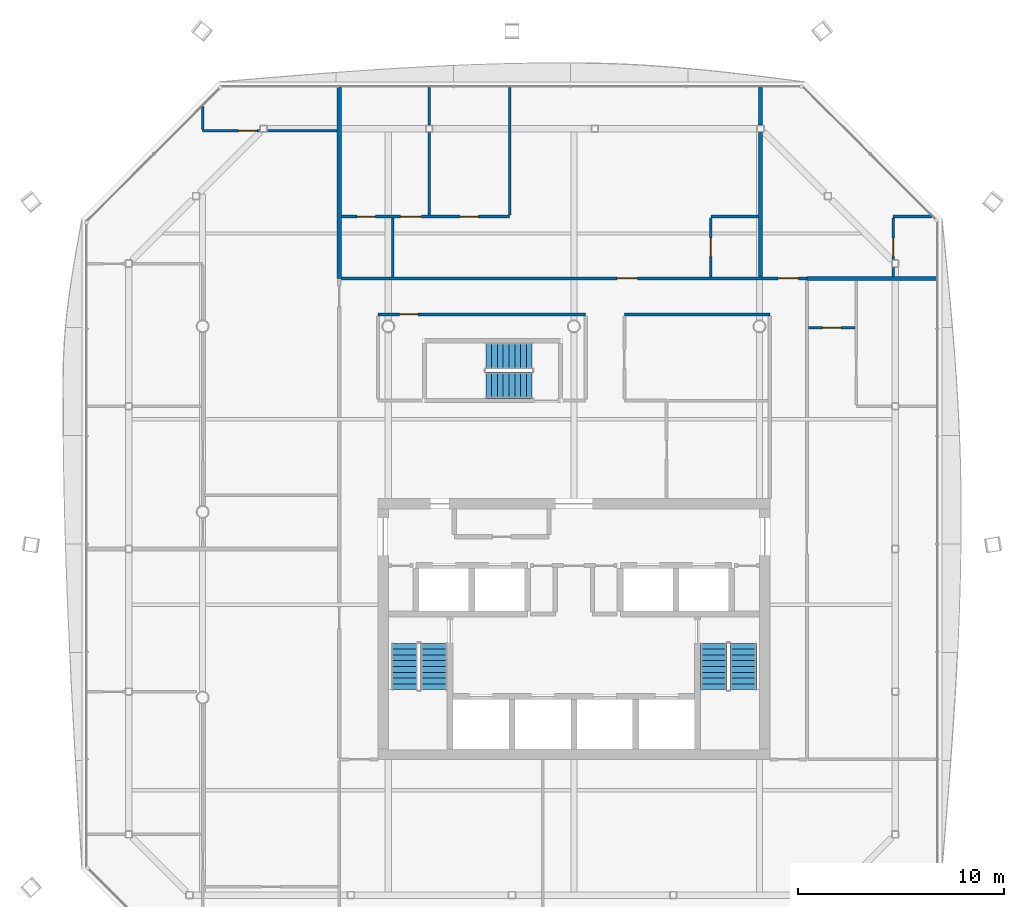
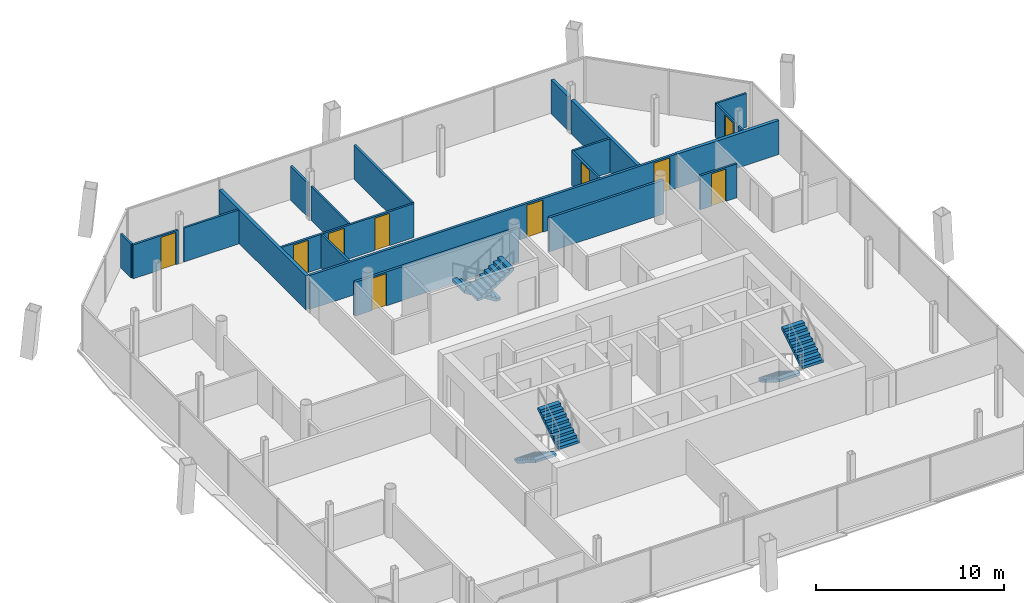
# One storey, part 16 of 20: 21 walls, 10 doors, 6 stair flights, 10 openings, 3 elements without a shape of their own.
"""IFC4 building model written with IfcOpenShell, lengths in metres."""

from ifc_helpers import new_model, si_unit, direction, frame, frame_2d, origin, place, context, subcontext, project, spatial, polyline, rectangle, outline, extrude, material, layer, layer_set, type_object, element, fill, aggregate, save


model = new_model("IFC4")

# Units and contexts
model_context = context("Model", 3, precision=1e-05, world=origin(), true_north=direction((0.0, 1.0)))
body_context = subcontext(model_context, "Body", "Model", "MODEL_VIEW")
ifc_project = project(units=[si_unit("LENGTHUNIT", "METRE"), si_unit("AREAUNIT", "SQUARE_METRE"), si_unit("VOLUMEUNIT", "CUBIC_METRE"), si_unit("PLANEANGLEUNIT", "RADIAN"), si_unit("MASSUNIT", "GRAM", prefix="KILO")], contexts=[model_context])

# Site, building, storey
site_placement = place(None, origin())
site = spatial("IfcSite", under=ifc_project, at=site_placement, CompositionType="ELEMENT")
building_placement = place(site_placement, origin())
building = spatial("IfcBuilding", under=site, at=building_placement, Name="Tskaro Facet Tower", CompositionType="ELEMENT")
storey_placement = place(building_placement, frame((0.0, 0.0, 187.949951171875)))
storey = spatial("IfcBuildingStorey", under=building, at=storey_placement, Name="L47", CompositionType="ELEMENT", Elevation=187.949951171875)

# Wall, opening, door
ifc_material_1 = material(Name="Gypsum board on steel studs", Category="steel")
ifc_layer_1 = layer(ifc_material_1, 0.125, Name="Gypsum board on steel studs")
ifc_layer_set_1 = layer_set([ifc_layer_1], Name="Gypsum board on steel studs")
wall_type_1 = type_object("IfcWallType", Name="PART", PredefinedType="PARTITIONING", material=ifc_layer_set_1)
wall_1_placement = place(storey_placement, frame((11.375, 8.925048828125, 0.0), z_axis=(0.0, 0.0, 1.0), x_axis=(1.0, 0.0, 0.0)))
wall_1 = element("IfcWall", 1, at=wall_1_placement, inside=storey, type_object=wall_type_1, Name="Partition W033", PredefinedType="PARTITIONING", context=body_context, shape_type="SweptSolid", body=[
    extrude(rectangle(XDim=2.262451171875, YDim=0.125, at=frame_2d((1.13134765625, 0.0))), origin(), (0.0, 0.0, 1.0), 2.2099609375),
])
opening_1_placement = place(wall_1_placement, frame((0.675048828125, 0.0, 0.0)))
opening_1 = element("IfcOpeningElement", 2, at=opening_1_placement, cuts=wall_1, Name="Opening T13-D22", PredefinedType="OPENING", context=body_context, shape_type="SweptSolid", body=[
    extrude(rectangle(XDim=0.89990234375, YDim=2.10009765625, at=frame_2d((0.449951171875, 1.050048828125))), frame((0.0, 0.072509765625, 0.0), z_axis=(0.0, -1.0, 0.0), x_axis=(1.0, 0.0, 0.0)), (0.0, 0.0, 1.0), 0.14501953125),
])
ifc_material_2 = material(Name="Timber", Category="wood")
door_type_1 = type_object("IfcDoorType", Name="D-ROOM", OperationType="NOTDEFINED", PredefinedType="DOOR", material=ifc_material_2)
door_1_placement = place(opening_1_placement, origin())
door_1 = element("IfcDoor", 3, at=door_1_placement, inside=storey, type_object=door_type_1, Name="Door T13-D22", OperationType="SINGLE_SWING_LEFT", OverallHeight=2.10009765625, OverallWidth=0.89990234375, PredefinedType="DOOR", context=body_context, shape_type="SweptSolid", body=[
    extrude(rectangle(XDim=0.89990234375, YDim=2.10009765625, at=frame_2d((0.449951171875, 1.050048828125))), frame((0.0, 0.02490234375, 0.0), z_axis=(0.0, -1.0, 0.0), x_axis=(1.0, 0.0, 0.0)), (0.0, 0.0, 1.0), 0.050048828125),
])
fill(opening_1, door_1)

# Wall, openings, doors
wall_2_placement = place(storey_placement, frame((-11.27490234375, 14.324951171875, 0.0), z_axis=(0.0, 0.0, 1.0), x_axis=(1.0, 0.0, 0.0)))
wall_2 = element("IfcWall", 4, at=wall_2_placement, inside=storey, type_object=wall_type_1, Name="Partition W040", PredefinedType="PARTITIONING", context=body_context, shape_type="SweptSolid", body=[
    extrude(rectangle(XDim=8.159912109375, YDim=0.125, at=frame_2d((4.080078125, 0.0))), origin(), (0.0, 0.0, 1.0), 2.2099609375),
])
opening_2_placement = place(wall_2_placement, frame((5.760009765625, 0.0, 0.0)))
opening_2 = element("IfcOpeningElement", 5, at=opening_2_placement, cuts=wall_2, Name="Opening T13-D32", PredefinedType="OPENING", context=body_context, shape_type="SweptSolid", body=[
    extrude(rectangle(XDim=0.89990234375, YDim=2.10009765625, at=frame_2d((0.449951171875, 1.050048828125))), frame((0.0, 0.072509765625, 0.0), z_axis=(0.0, -1.0, 0.0), x_axis=(1.0, 0.0, 0.0)), (0.0, 0.0, 1.0), 0.14501953125),
])
opening_3_placement = place(wall_2_placement, frame((2.8798828125, 0.0, 0.0)))
opening_3 = element("IfcOpeningElement", 6, at=opening_3_placement, cuts=wall_2, Name="Opening T13-D31", PredefinedType="OPENING", context=body_context, shape_type="SweptSolid", body=[
    extrude(rectangle(XDim=1.0, YDim=2.10009765625, at=frame_2d((0.5, 1.050048828125))), frame((0.0, 0.072509765625, 0.0), z_axis=(0.0, -1.0, 0.0), x_axis=(1.0, 0.0, 0.0)), (0.0, 0.0, 1.0), 0.14501953125),
])
opening_4_placement = place(wall_2_placement, frame((0.75, 0.0, 0.0)))
opening_4 = element("IfcOpeningElement", 7, at=opening_4_placement, cuts=wall_2, Name="Opening T13-D30", PredefinedType="OPENING", context=body_context, shape_type="SweptSolid", body=[
    extrude(rectangle(XDim=0.89990234375, YDim=2.10009765625, at=frame_2d((0.449951171875, 1.050048828125))), frame((0.0, 0.072509765625, 0.0), z_axis=(0.0, -1.0, 0.0), x_axis=(1.0, 0.0, 0.0)), (0.0, 0.0, 1.0), 0.14501953125),
])
door_2_placement = place(opening_2_placement, origin())
door_2 = element("IfcDoor", 8, at=door_2_placement, inside=storey, type_object=door_type_1, Name="Door T13-D32", OperationType="SINGLE_SWING_RIGHT", OverallHeight=2.10009765625, OverallWidth=0.89990234375, PredefinedType="DOOR", context=body_context, shape_type="SweptSolid", body=[
    extrude(rectangle(XDim=0.89990234375, YDim=2.10009765625, at=frame_2d((0.449951171875, 1.050048828125))), frame((0.0, 0.02490234375, 0.0), z_axis=(0.0, -1.0, 0.0), x_axis=(1.0, 0.0, 0.0)), (0.0, 0.0, 1.0), 0.050048828125),
])
fill(opening_2, door_2)
door_3_placement = place(opening_4_placement, origin())
door_3 = element("IfcDoor", 9, at=door_3_placement, inside=storey, type_object=door_type_1, Name="Door T13-D30", OperationType="SINGLE_SWING_RIGHT", OverallHeight=2.10009765625, OverallWidth=0.89990234375, PredefinedType="DOOR", context=body_context, shape_type="SweptSolid", body=[
    extrude(rectangle(XDim=0.89990234375, YDim=2.10009765625, at=frame_2d((0.449951171875, 1.050048828125))), frame((0.0, 0.02490234375, 0.0), z_axis=(0.0, -1.0, 0.0), x_axis=(1.0, 0.0, 0.0)), (0.0, 0.0, 1.0), 0.050048828125),
])
fill(opening_4, door_3)
door_type_2 = type_object("IfcDoorType", Name="D-ROOM-WIDE", OperationType="NOTDEFINED", PredefinedType="DOOR", material=ifc_material_2)
door_4_placement = place(opening_3_placement, origin())
door_4 = element("IfcDoor", 10, at=door_4_placement, inside=storey, type_object=door_type_2, Name="Door T13-D31", OperationType="SINGLE_SWING_RIGHT", OverallHeight=2.10009765625, OverallWidth=1.0, PredefinedType="DOOR", context=body_context, shape_type="SweptSolid", body=[
    extrude(rectangle(XDim=1.0, YDim=2.10009765625, at=frame_2d((0.5, 1.050048828125))), frame((0.0, 0.02490234375, 0.0), z_axis=(0.0, -1.0, 0.0), x_axis=(1.0, 0.0, 0.0)), (0.0, 0.0, 1.0), 0.050048828125),
])
fill(opening_3, door_4)

# Walls
wall_3_placement = place(storey_placement, frame((6.64501953125, 14.324951171875, 0.0), z_axis=(0.0, 0.0, 1.0), x_axis=(1.0, 0.0, 0.0)))
element("IfcWall", 11, at=wall_3_placement, inside=storey, type_object=wall_type_1, Name="Partition W041", PredefinedType="PARTITIONING", context=body_context, shape_type="SweptSolid", body=[
    extrude(rectangle(XDim=2.300048828125, YDim=0.125, at=frame_2d((1.14990234375, 0.0))), origin(), (0.0, 0.0, 1.0), 2.2099609375),
])
wall_4_placement = place(storey_placement, frame((15.47998046875, 14.324951171875, 0.0), z_axis=(0.0, 0.0, 1.0), x_axis=(1.0, 0.0, 0.0)))
element("IfcWall", 12, at=wall_4_placement, inside=storey, type_object=wall_type_1, Name="Partition W042", PredefinedType="PARTITIONING", context=body_context, shape_type="SweptSolid", body=[
    extrude(rectangle(XDim=1.85302734375, YDim=0.125, at=frame_2d((0.926513671875, 0.0))), origin(), (0.0, 0.0, 1.0), 2.2099609375),
])

# Wall, opening, door
wall_5_placement = place(storey_placement, frame((-18.0, 18.47998046875, 0.0), z_axis=(0.0, 0.0, 1.0), x_axis=(1.0, 0.0, 0.0)))
wall_5 = element("IfcWall", 13, at=wall_5_placement, inside=storey, type_object=wall_type_1, Name="Partition W043", PredefinedType="PARTITIONING", context=body_context, shape_type="SweptSolid", body=[
    extrude(rectangle(XDim=2.779052734375, YDim=0.125, at=frame_2d((1.3896484375, 0.0))), origin(), (0.0, 0.0, 1.0), 2.2099609375),
])
opening_5_placement = place(wall_5_placement, frame((1.72900390625, 0.0, 0.0)))
opening_5 = element("IfcOpeningElement", 14, at=opening_5_placement, cuts=wall_5, Name="Opening T13-D33", PredefinedType="OPENING", context=body_context, shape_type="SweptSolid", body=[
    extrude(rectangle(XDim=0.89990234375, YDim=2.10009765625, at=frame_2d((0.449951171875, 1.050048828125))), frame((0.0, 0.072509765625, 0.0), z_axis=(0.0, -1.0, 0.0), x_axis=(1.0, 0.0, 0.0)), (0.0, 0.0, 1.0), 0.14501953125),
])
door_5_placement = place(opening_5_placement, origin())
door_5 = element("IfcDoor", 15, at=door_5_placement, inside=storey, type_object=door_type_1, Name="Door T13-D33", OperationType="SINGLE_SWING_LEFT", OverallHeight=2.10009765625, OverallWidth=0.89990234375, PredefinedType="DOOR", context=body_context, shape_type="SweptSolid", body=[
    extrude(rectangle(XDim=0.89990234375, YDim=2.10009765625, at=frame_2d((0.449951171875, 1.050048828125))), frame((0.0, 0.02490234375, 0.0), z_axis=(0.0, -1.0, 0.0), x_axis=(1.0, 0.0, 0.0)), (0.0, 0.0, 1.0), 0.050048828125),
])
fill(opening_5, door_5)

# Walls
wall_6_placement = place(storey_placement, frame((-14.87109375, 18.47998046875, 0.0), z_axis=(0.0, 0.0, 1.0), x_axis=(1.0, 0.0, 0.0)))
element("IfcWall", 16, at=wall_6_placement, inside=storey, type_object=wall_type_1, Name="Partition W044", PredefinedType="PARTITIONING", context=body_context, shape_type="SweptSolid", body=[
    extrude(rectangle(XDim=3.39599609375, YDim=0.125, at=frame_2d((1.697998046875, 0.0))), origin(), (0.0, 0.0, 1.0), 2.2099609375),
])
wall_7_placement = place(storey_placement, frame((-18.0, 18.54248046875, 0.0), z_axis=(0.0, 0.0, 1.0), x_axis=(0.0, 1.0, 0.0)))
element("IfcWall", 17, at=wall_7_placement, inside=storey, type_object=wall_type_1, Name="Partition W049", PredefinedType="PARTITIONING", context=body_context, shape_type="SweptSolid", body=[
    extrude(rectangle(XDim=1.115478515625, YDim=0.125, at=frame_2d((0.5576171875, 0.0))), origin(), (0.0, 0.0, 1.0), 2.2099609375),
])
wall_8_placement = place(storey_placement, frame((-8.77490234375, 11.39990234375, 0.0), z_axis=(0.0, 0.0, 1.0), x_axis=(0.0, 1.0, 0.0)))
element("IfcWall", 18, at=wall_8_placement, inside=storey, type_object=wall_type_1, Name="Partition W054", PredefinedType="PARTITIONING", context=body_context, shape_type="SweptSolid", body=[
    extrude(rectangle(XDim=2.862548828125, YDim=0.125, at=frame_2d((1.43115234375, 0.0))), origin(), (0.0, 0.0, 1.0), 2.2099609375),
])
wall_9_placement = place(storey_placement, frame((-7.014892578125, 14.387451171875, 0.0), z_axis=(0.0, 0.0, 1.0), x_axis=(0.0, 1.0, 0.0)))
element("IfcWall", 19, at=wall_9_placement, inside=storey, type_object=wall_type_1, Name="Partition W057", PredefinedType="PARTITIONING", context=body_context, shape_type="SweptSolid", body=[
    extrude(rectangle(XDim=4.0205078125, YDim=0.125, at=frame_2d((2.01025390625, 0.0))), origin(), (0.0, 0.0, 1.0), 2.2099609375),
])
wall_10_placement = place(storey_placement, frame((-7.014892578125, 18.758056640625, 0.0), z_axis=(0.0, 0.0, 1.0), x_axis=(0.0, 1.0, 0.0)))
element("IfcWall", 20, at=wall_10_placement, inside=storey, type_object=wall_type_1, Name="Partition W058", PredefinedType="PARTITIONING", context=body_context, shape_type="SweptSolid", body=[
    extrude(rectangle(XDim=1.81982421875, YDim=0.125, at=frame_2d((0.909912109375, 0.0))), origin(), (0.0, 0.0, 1.0), 2.2099609375),
])
wall_11_placement = place(storey_placement, frame((-3.114990234375, 14.387451171875, 0.0), z_axis=(0.0, 0.0, 1.0), x_axis=(0.0, 1.0, 0.0)))
element("IfcWall", 21, at=wall_11_placement, inside=storey, type_object=wall_type_1, Name="Partition W062", PredefinedType="PARTITIONING", context=body_context, shape_type="SweptSolid", body=[
    extrude(rectangle(XDim=6.1904296875, YDim=0.125, at=frame_2d((3.09521484375, 0.0))), origin(), (0.0, 0.0, 1.0), 2.2099609375),
])

# Wall, opening, door
wall_12_placement = place(storey_placement, frame((6.64501953125, 14.262451171875, 0.0), z_axis=(0.0, 0.0, 1.0), x_axis=(0.0, -1.0, 0.0)))
wall_12 = element("IfcWall", 22, at=wall_12_placement, inside=storey, type_object=wall_type_1, Name="Partition W078", PredefinedType="PARTITIONING", context=body_context, shape_type="SweptSolid", body=[
    extrude(rectangle(XDim=2.862548828125, YDim=0.125, at=frame_2d((1.43115234375, 0.0))), origin(), (0.0, 0.0, 1.0), 2.2099609375),
])
opening_6_placement = place(wall_12_placement, frame((0.987548828125, 0.0, 0.0)))
opening_6 = element("IfcOpeningElement", 23, at=opening_6_placement, cuts=wall_12, Name="Opening T13-D28", PredefinedType="OPENING", context=body_context, shape_type="SweptSolid", body=[
    extrude(rectangle(XDim=0.89990234375, YDim=2.10009765625, at=frame_2d((0.449951171875, 1.050048828125))), frame((0.0, 0.072509765625, 0.0), z_axis=(0.0, -1.0, 0.0), x_axis=(1.0, 0.0, 0.0)), (0.0, 0.0, 1.0), 0.14501953125),
])
door_6_placement = place(opening_6_placement, origin())
door_6 = element("IfcDoor", 24, at=door_6_placement, inside=storey, type_object=door_type_1, Name="Door T13-D28", OperationType="SINGLE_SWING_RIGHT", OverallHeight=2.10009765625, OverallWidth=0.89990234375, PredefinedType="DOOR", context=body_context, shape_type="SweptSolid", body=[
    extrude(rectangle(XDim=0.89990234375, YDim=2.10009765625, at=frame_2d((0.449951171875, 1.050048828125))), frame((0.0, 0.02490234375, 0.0), z_axis=(0.0, -1.0, 0.0), x_axis=(1.0, 0.0, 0.0)), (0.0, 0.0, 1.0), 0.050048828125),
])
fill(opening_6, door_6)

# Wall
wall_13_placement = place(storey_placement, frame((15.47998046875, 11.425048828125, 0.0), z_axis=(0.0, 0.0, 1.0), x_axis=(0.0, 1.0, 0.0)))
element("IfcWall", 25, at=wall_13_placement, inside=storey, type_object=wall_type_1, Name="Partition W085", PredefinedType="PARTITIONING", context=body_context, shape_type="SweptSolid", body=[
    extrude(rectangle(XDim=0.446044921875, YDim=0.125, at=frame_2d((0.22314453125, 0.0))), origin(), (0.0, 0.0, 1.0), 2.2099609375),
])

# Wall, opening, door
wall_14_placement = place(storey_placement, frame((15.47998046875, 14.262451171875, 0.0), z_axis=(0.0, 0.0, 1.0), x_axis=(0.0, -1.0, 0.0)))
wall_14 = element("IfcWall", 26, at=wall_14_placement, inside=storey, type_object=wall_type_1, Name="Partition W086", PredefinedType="PARTITIONING", context=body_context, shape_type="SweptSolid", body=[
    extrude(rectangle(XDim=2.04150390625, YDim=0.125, at=frame_2d((1.020751953125, 0.0))), origin(), (0.0, 0.0, 1.0), 2.2099609375),
])
opening_7_placement = place(wall_14_placement, frame((0.987548828125, 0.0, 0.0)))
opening_7 = element("IfcOpeningElement", 27, at=opening_7_placement, cuts=wall_14, Name="Opening T13-D29", PredefinedType="OPENING", context=body_context, shape_type="SweptSolid", body=[
    extrude(rectangle(XDim=0.89990234375, YDim=2.10009765625, at=frame_2d((0.449951171875, 1.050048828125))), frame((0.0, 0.072509765625, 0.0), z_axis=(0.0, -1.0, 0.0), x_axis=(1.0, 0.0, 0.0)), (0.0, 0.0, 1.0), 0.14501953125),
])
door_7_placement = place(opening_7_placement, origin())
door_7 = element("IfcDoor", 28, at=door_7_placement, inside=storey, type_object=door_type_1, Name="Door T13-D29", OperationType="SINGLE_SWING_RIGHT", OverallHeight=2.10009765625, OverallWidth=0.89990234375, PredefinedType="DOOR", context=body_context, shape_type="SweptSolid", body=[
    extrude(rectangle(XDim=0.89990234375, YDim=2.10009765625, at=frame_2d((0.449951171875, 1.050048828125))), frame((0.0, 0.02490234375, 0.0), z_axis=(0.0, -1.0, 0.0), x_axis=(1.0, 0.0, 0.0)), (0.0, 0.0, 1.0), 0.050048828125),
])
fill(opening_7, door_7)

ifc_layer_2 = layer(ifc_material_1, 0.14990234375, Name="Gypsum board on steel studs")
ifc_layer_set_2 = layer_set([ifc_layer_2], Name="Gypsum board on steel studs")
wall_type_2 = type_object("IfcWallType", Name="PART-CORR", PredefinedType="PARTITIONING", material=ifc_layer_set_2)
wall_15_placement = place(storey_placement, frame((0.574951171875, 9.574951171875, 0.0), z_axis=(0.0, 0.0, 1.0), x_axis=(-1.0, 0.0, 0.0)))
wall_15 = element("IfcWall", 29, at=wall_15_placement, inside=storey, type_object=wall_type_2, Name="Corridor wall W034", PredefinedType="PARTITIONING", context=body_context, shape_type="SweptSolid", body=[
    extrude(rectangle(XDim=10.074951171875, YDim=0.14990234375, at=frame_2d((5.03759765625, 0.0))), origin(), (0.0, 0.0, 1.0), 2.2099609375),
])
opening_8_placement = place(wall_15_placement, frame((8.125, 0.0, 0.0)))
opening_8 = element("IfcOpeningElement", 30, at=opening_8_placement, cuts=wall_15, Name="Opening T13-D23", PredefinedType="OPENING", context=body_context, shape_type="SweptSolid", body=[
    extrude(rectangle(XDim=0.89990234375, YDim=2.10009765625, at=frame_2d((0.449951171875, 1.050048828125))), frame((0.0, 0.0849609375, 0.0), z_axis=(0.0, -1.0, 0.0), x_axis=(1.0, 0.0, 0.0)), (0.0, 0.0, 1.0), 0.169921875),
])
door_8_placement = place(opening_8_placement, origin())
door_8 = element("IfcDoor", 31, at=door_8_placement, inside=storey, type_object=door_type_1, Name="Door T13-D23", OperationType="SINGLE_SWING_RIGHT", OverallHeight=2.10009765625, OverallWidth=0.89990234375, PredefinedType="DOOR", context=body_context, shape_type="SweptSolid", body=[
    extrude(rectangle(XDim=0.89990234375, YDim=2.10009765625, at=frame_2d((0.449951171875, 1.050048828125))), frame((0.0, 0.02490234375, 0.0), z_axis=(0.0, -1.0, 0.0), x_axis=(1.0, 0.0, 0.0)), (0.0, 0.0, 1.0), 0.050048828125),
])
fill(opening_8, door_8)

# Wall
wall_16_placement = place(storey_placement, frame((2.449951171875, 9.574951171875, 0.0), z_axis=(0.0, 0.0, 1.0), x_axis=(1.0, 0.0, 0.0)))
element("IfcWall", 32, at=wall_16_placement, inside=storey, type_object=wall_type_2, Name="Corridor wall W035", PredefinedType="PARTITIONING", context=body_context, shape_type="SweptSolid", body=[
    extrude(rectangle(XDim=7.050048828125, YDim=0.14990234375, at=frame_2d((3.52490234375, 0.0))), origin(), (0.0, 0.0, 1.0), 2.2099609375),
])

# Wall, openings, doors
wall_17_placement = place(storey_placement, frame((-11.27490234375, 11.324951171875, 0.0), z_axis=(0.0, 0.0, 1.0), x_axis=(1.0, 0.0, 0.0)))
wall_17 = element("IfcWall", 33, at=wall_17_placement, inside=storey, type_object=wall_type_2, Name="Corridor wall W036", PredefinedType="PARTITIONING", context=body_context, shape_type="SweptSolid", body=[
    extrude(rectangle(XDim=22.574951171875, YDim=0.14990234375, at=frame_2d((11.28759765625, 0.0))), origin(), (0.0, 0.0, 1.0), 2.2099609375),
])
opening_9_placement = place(wall_17_placement, frame((13.362548828125, 0.0, 0.0)))
opening_9 = element("IfcOpeningElement", 34, at=opening_9_placement, cuts=wall_17, Name="Opening T13-D25", PredefinedType="OPENING", context=body_context, shape_type="SweptSolid", body=[
    extrude(rectangle(XDim=1.0, YDim=2.10009765625, at=frame_2d((0.5, 1.050048828125))), frame((0.0, 0.0849609375, 0.0), z_axis=(0.0, -1.0, 0.0), x_axis=(1.0, 0.0, 0.0)), (0.0, 0.0, 1.0), 0.169921875),
])
opening_10_placement = place(wall_17_placement, frame((21.175048828125, 0.0, 0.0)))
opening_10 = element("IfcOpeningElement", 35, at=opening_10_placement, cuts=wall_17, Name="Opening T13-D26", PredefinedType="OPENING", context=body_context, shape_type="SweptSolid", body=[
    extrude(rectangle(XDim=1.0, YDim=2.10009765625, at=frame_2d((0.5, 1.050048828125))), frame((0.0, 0.0849609375, 0.0), z_axis=(0.0, -1.0, 0.0), x_axis=(1.0, 0.0, 0.0)), (0.0, 0.0, 1.0), 0.169921875),
])
door_type_3 = type_object("IfcDoorType", Name="D-FLAT-ENTRY", OperationType="NOTDEFINED", PredefinedType="DOOR", material=ifc_material_2)
door_9_placement = place(opening_9_placement, origin())
door_9 = element("IfcDoor", 36, at=door_9_placement, inside=storey, type_object=door_type_3, Name="Door T13-D25", OperationType="SINGLE_SWING_RIGHT", OverallHeight=2.10009765625, OverallWidth=1.0, PredefinedType="DOOR", context=body_context, shape_type="SweptSolid", body=[
    extrude(rectangle(XDim=1.0, YDim=2.10009765625, at=frame_2d((0.5, 1.050048828125))), frame((0.0, 0.02490234375, 0.0), z_axis=(0.0, -1.0, 0.0), x_axis=(1.0, 0.0, 0.0)), (0.0, 0.0, 1.0), 0.050048828125),
])
fill(opening_9, door_9)
door_10_placement = place(opening_10_placement, origin())
door_10 = element("IfcDoor", 37, at=door_10_placement, inside=storey, type_object=door_type_3, Name="Door T13-D26", OperationType="SINGLE_SWING_LEFT", OverallHeight=2.10009765625, OverallWidth=1.0, PredefinedType="DOOR", context=body_context, shape_type="SweptSolid", body=[
    extrude(rectangle(XDim=1.0, YDim=2.10009765625, at=frame_2d((0.5, 1.050048828125))), frame((0.0, 0.02490234375, 0.0), z_axis=(0.0, -1.0, 0.0), x_axis=(1.0, 0.0, 0.0)), (0.0, 0.0, 1.0), 0.050048828125),
])
fill(opening_10, door_10)

# Walls
ifc_layer_3 = layer(ifc_material_1, 0.199951171875, Name="Gypsum board on steel studs")
ifc_layer_set_3 = layer_set([ifc_layer_3], Name="Gypsum board on steel studs")
wall_type_3 = type_object("IfcWallType", Name="PART-DEMISING", PredefinedType="PARTITIONING", material=ifc_layer_set_3)
wall_18_placement = place(storey_placement, frame((11.300048828125, 11.324951171875, 0.0), z_axis=(0.0, 0.0, 1.0), x_axis=(1.0, 0.0, 0.0)))
element("IfcWall", 38, at=wall_18_placement, inside=storey, type_object=wall_type_3, Name="Guest room wall W037", PredefinedType="PARTITIONING", context=body_context, shape_type="SweptSolid", body=[
    extrude(rectangle(XDim=6.27783203125, YDim=0.199951171875, at=frame_2d((3.138916015625, 0.0))), origin(), (0.0, 0.0, 1.0), 2.2099609375),
])
wall_19_placement = place(storey_placement, frame((-11.375, 11.324951171875, 0.0), z_axis=(0.0, 0.0, 1.0), x_axis=(0.0, 1.0, 0.0)))
element("IfcWall", 39, at=wall_19_placement, inside=storey, type_object=wall_type_3, Name="Guest room wall W052", PredefinedType="PARTITIONING", context=body_context, shape_type="SweptSolid", body=[
    extrude(rectangle(XDim=9.2529296875, YDim=0.199951171875, at=frame_2d((4.62646484375, 0.0))), origin(), (0.0, 0.0, 1.0), 2.2099609375),
])
wall_20_placement = place(storey_placement, frame((9.044921875, 11.39990234375, 0.0), z_axis=(0.0, 0.0, 1.0), x_axis=(0.0, 1.0, 0.0)))
element("IfcWall", 40, at=wall_20_placement, inside=storey, type_object=wall_type_3, Name="Guest room wall W080", PredefinedType="PARTITIONING", context=body_context, shape_type="SweptSolid", body=[
    extrude(rectangle(XDim=7.008056640625, YDim=0.199951171875, at=frame_2d((3.50390625, 0.0))), origin(), (0.0, 0.0, 1.0), 2.2099609375),
])
wall_21_placement = place(storey_placement, frame((9.044921875, 18.758056640625, 0.0), z_axis=(0.0, 0.0, 1.0), x_axis=(0.0, 1.0, 0.0)))
element("IfcWall", 41, at=wall_21_placement, inside=storey, type_object=wall_type_3, Name="Guest room wall W081", PredefinedType="PARTITIONING", context=body_context, shape_type="SweptSolid", body=[
    extrude(rectangle(XDim=1.81982421875, YDim=0.199951171875, at=frame_2d((0.909912109375, 0.0))), origin(), (0.0, 0.0, 1.0), 2.2099609375),
])

# Stair, stair flights
ifc_material_3 = material(Name="Concrete C40/50", Category="concrete")
stair_type = type_object("IfcStairType", Name="ST-TWR", PredefinedType="HALF_TURN_STAIR", material=ifc_material_3)
stair_1_placement = place(storey_placement, origin())
stair_1 = element("IfcStair", 42, at=stair_1_placement, inside=storey, type_object=stair_type, Name="L47 Exit stair 1", PredefinedType="HALF_TURN_STAIR")
stair_flight_type = type_object("IfcStairFlightType", Name="SFL-RC", PredefinedType="STRAIGHT", material=ifc_material_3)
stair_flight_1_placement = place(storey_placement, frame((-8.21240234375, -6.375, 0.0), z_axis=(0.0, 0.0, 1.0), x_axis=(0.0, -1.0, 0.0)))
stair_flight_1 = element("IfcStairFlight", 43, at=stair_flight_1_placement, type_object=stair_flight_type, Name="ST-1 flight 1", NumberOfRisers=9, NumberOfTreads=8, PredefinedType="STRAIGHT", RiserHeight=0.175, TreadLength=0.28, context=body_context, shape_type="SweptSolid", body=[
    extrude(outline(polyline([(0.0, 0.0), (0.0, 0.175048828125), (0.280029296875, 0.175048828125), (0.280029296875, 0.35009765625), (0.56005859375, 0.35009765625), (0.56005859375, 0.52490234375), (0.840087890625, 0.52490234375), (0.840087890625, 0.699951171875), (1.1201171875, 0.699951171875), (1.1201171875, 0.875), (1.39990234375, 0.875), (1.39990234375, 1.050048828125), (1.679931640625, 1.050048828125), (1.679931640625, 1.22509765625), (1.9599609375, 1.22509765625), (1.9599609375, 1.39990234375), (2.239990234375, 1.39990234375), (2.239990234375, 1.574951171875), (2.239990234375, 1.22314453125), (0.28271484375, 0.0), (0.0, 0.0)])), frame((0.0, 0.637451171875, 0.0), z_axis=(0.0, -1.0, 0.0), x_axis=(1.0, 0.0, 0.0)), (0.0, 0.0, 1.0), 1.27490234375),
])
stair_flight_2_placement = place(storey_placement, frame((-6.78759765625, -8.614990234375, 1.574951171875), z_axis=(0.0, 0.0, 1.0), x_axis=(0.0, 1.0, 0.0)))
stair_flight_2 = element("IfcStairFlight", 44, at=stair_flight_2_placement, type_object=stair_flight_type, Name="ST-1 flight 2", NumberOfRisers=9, NumberOfTreads=8, PredefinedType="STRAIGHT", RiserHeight=0.175, TreadLength=0.28, context=body_context, shape_type="SweptSolid", body=[
    extrude(outline(polyline([(0.0, 0.0), (0.0, 0.175048828125), (0.280029296875, 0.175048828125), (0.280029296875, 0.35009765625), (0.56005859375, 0.35009765625), (0.56005859375, 0.52490234375), (0.840087890625, 0.52490234375), (0.840087890625, 0.699951171875), (1.1201171875, 0.699951171875), (1.1201171875, 0.875), (1.39990234375, 0.875), (1.39990234375, 1.050048828125), (1.679931640625, 1.050048828125), (1.679931640625, 1.22509765625), (1.9599609375, 1.22509765625), (1.9599609375, 1.39990234375), (2.239990234375, 1.39990234375), (2.239990234375, 1.574951171875), (2.239990234375, 1.22314453125), (0.28271484375, 0.0), (0.0, 0.0)])), frame((0.0, 0.637451171875, 0.0), z_axis=(0.0, -1.0, 0.0), x_axis=(1.0, 0.0, 0.0)), (0.0, 0.0, 1.0), 1.27490234375),
])
aggregate(stair_1, [stair_flight_1, stair_flight_2])

stair_2_placement = place(storey_placement, origin())
stair_2 = element("IfcStair", 45, at=stair_2_placement, inside=storey, type_object=stair_type, Name="L47 Exit stair 2", PredefinedType="HALF_TURN_STAIR")
stair_flight_3_placement = place(storey_placement, frame((6.78759765625, -6.375, 0.0), z_axis=(0.0, 0.0, 1.0), x_axis=(0.0, -1.0, 0.0)))
stair_flight_3 = element("IfcStairFlight", 46, at=stair_flight_3_placement, type_object=stair_flight_type, Name="ST-2 flight 1", NumberOfRisers=9, NumberOfTreads=8, PredefinedType="STRAIGHT", RiserHeight=0.175, TreadLength=0.28, context=body_context, shape_type="SweptSolid", body=[
    extrude(outline(polyline([(0.0, 0.0), (0.0, 0.175048828125), (0.280029296875, 0.175048828125), (0.280029296875, 0.35009765625), (0.56005859375, 0.35009765625), (0.56005859375, 0.52490234375), (0.840087890625, 0.52490234375), (0.840087890625, 0.699951171875), (1.1201171875, 0.699951171875), (1.1201171875, 0.875), (1.39990234375, 0.875), (1.39990234375, 1.050048828125), (1.679931640625, 1.050048828125), (1.679931640625, 1.22509765625), (1.9599609375, 1.22509765625), (1.9599609375, 1.39990234375), (2.239990234375, 1.39990234375), (2.239990234375, 1.574951171875), (2.239990234375, 1.22314453125), (0.28271484375, 0.0), (0.0, 0.0)])), frame((0.0, 0.637451171875, 0.0), z_axis=(0.0, -1.0, 0.0), x_axis=(1.0, 0.0, 0.0)), (0.0, 0.0, 1.0), 1.27490234375),
])
stair_flight_4_placement = place(storey_placement, frame((8.21240234375, -8.614990234375, 1.574951171875), z_axis=(0.0, 0.0, 1.0), x_axis=(0.0, 1.0, 0.0)))
stair_flight_4 = element("IfcStairFlight", 47, at=stair_flight_4_placement, type_object=stair_flight_type, Name="ST-2 flight 2", NumberOfRisers=9, NumberOfTreads=8, PredefinedType="STRAIGHT", RiserHeight=0.175, TreadLength=0.28, context=body_context, shape_type="SweptSolid", body=[
    extrude(outline(polyline([(0.0, 0.0), (0.0, 0.175048828125), (0.280029296875, 0.175048828125), (0.280029296875, 0.35009765625), (0.56005859375, 0.35009765625), (0.56005859375, 0.52490234375), (0.840087890625, 0.52490234375), (0.840087890625, 0.699951171875), (1.1201171875, 0.699951171875), (1.1201171875, 0.875), (1.39990234375, 0.875), (1.39990234375, 1.050048828125), (1.679931640625, 1.050048828125), (1.679931640625, 1.22509765625), (1.9599609375, 1.22509765625), (1.9599609375, 1.39990234375), (2.239990234375, 1.39990234375), (2.239990234375, 1.574951171875), (2.239990234375, 1.22314453125), (0.28271484375, 0.0), (0.0, 0.0)])), frame((0.0, 0.637451171875, 0.0), z_axis=(0.0, -1.0, 0.0), x_axis=(1.0, 0.0, 0.0)), (0.0, 0.0, 1.0), 1.27490234375),
])
aggregate(stair_2, [stair_flight_3, stair_flight_4])

stair_3_placement = place(storey_placement, origin())
stair_3 = element("IfcStair", 48, at=stair_3_placement, inside=storey, type_object=stair_type, Name="L47 Exit stair 3", PredefinedType="HALF_TURN_STAIR")
stair_flight_5_placement = place(storey_placement, frame((-2.02490234375, 7.5625, 0.0), z_axis=(0.0, 0.0, 1.0), x_axis=(-1.0, 0.0, 0.0)))
stair_flight_5 = element("IfcStairFlight", 49, at=stair_flight_5_placement, type_object=stair_flight_type, Name="ST-3 flight 1", NumberOfRisers=9, NumberOfTreads=8, PredefinedType="STRAIGHT", RiserHeight=0.175, TreadLength=0.28, context=body_context, shape_type="SweptSolid", body=[
    extrude(outline(polyline([(0.0, 0.0), (0.0, 0.175048828125), (0.280029296875, 0.175048828125), (0.280029296875, 0.35009765625), (0.56005859375, 0.35009765625), (0.56005859375, 0.52490234375), (0.840087890625, 0.52490234375), (0.840087890625, 0.699951171875), (1.1201171875, 0.699951171875), (1.1201171875, 0.875), (1.39990234375, 0.875), (1.39990234375, 1.050048828125), (1.679931640625, 1.050048828125), (1.679931640625, 1.22509765625), (1.9599609375, 1.22509765625), (1.9599609375, 1.39990234375), (2.239990234375, 1.39990234375), (2.239990234375, 1.574951171875), (2.239990234375, 1.22314453125), (0.28271484375, 0.0), (0.0, 0.0)])), frame((0.0, 0.637451171875, 0.0), z_axis=(0.0, -1.0, 0.0), x_axis=(1.0, 0.0, 0.0)), (0.0, 0.0, 1.0), 1.27490234375),
])
stair_flight_6_placement = place(storey_placement, frame((-4.264892578125, 6.137451171875, 1.574951171875), z_axis=(0.0, 0.0, 1.0), x_axis=(1.0, 0.0, 0.0)))
stair_flight_6 = element("IfcStairFlight", 50, at=stair_flight_6_placement, type_object=stair_flight_type, Name="ST-3 flight 2", NumberOfRisers=9, NumberOfTreads=8, PredefinedType="STRAIGHT", RiserHeight=0.175, TreadLength=0.28, context=body_context, shape_type="SweptSolid", body=[
    extrude(outline(polyline([(0.0, 0.0), (0.0, 0.175048828125), (0.280029296875, 0.175048828125), (0.280029296875, 0.35009765625), (0.56005859375, 0.35009765625), (0.56005859375, 0.52490234375), (0.840087890625, 0.52490234375), (0.840087890625, 0.699951171875), (1.1201171875, 0.699951171875), (1.1201171875, 0.875), (1.39990234375, 0.875), (1.39990234375, 1.050048828125), (1.679931640625, 1.050048828125), (1.679931640625, 1.22509765625), (1.9599609375, 1.22509765625), (1.9599609375, 1.39990234375), (2.239990234375, 1.39990234375), (2.239990234375, 1.574951171875), (2.239990234375, 1.22314453125), (0.28271484375, 0.0), (0.0, 0.0)])), frame((0.0, 0.637451171875, 0.0), z_axis=(0.0, -1.0, 0.0), x_axis=(1.0, 0.0, 0.0)), (0.0, 0.0, 1.0), 1.27490234375),
])
aggregate(stair_3, [stair_flight_5, stair_flight_6])

save(model, "model.ifc")
